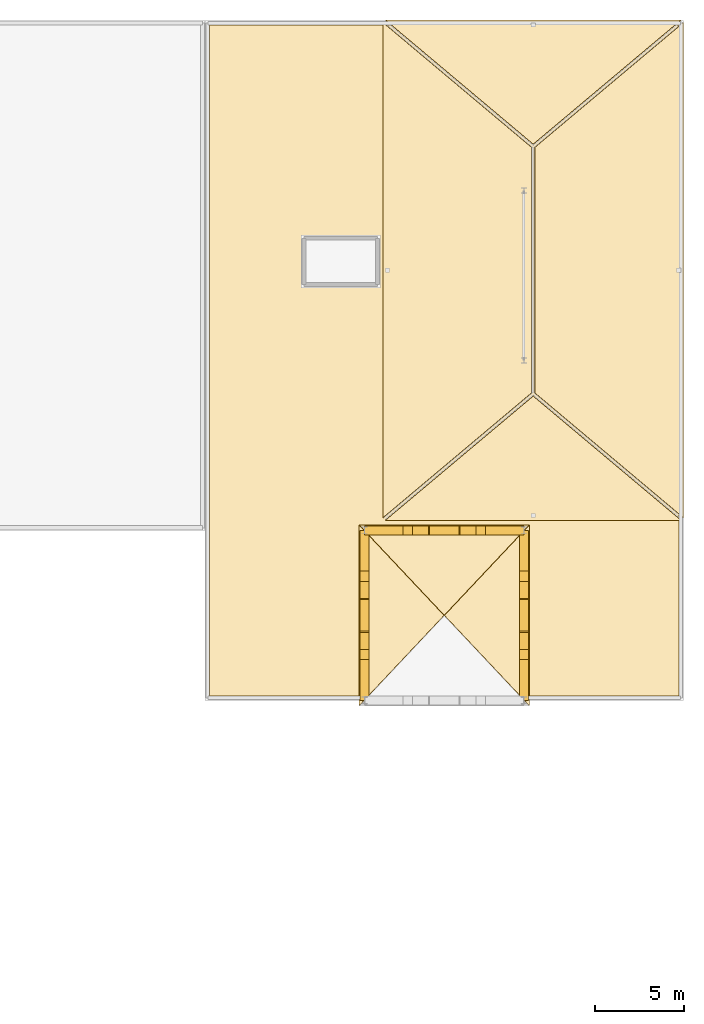
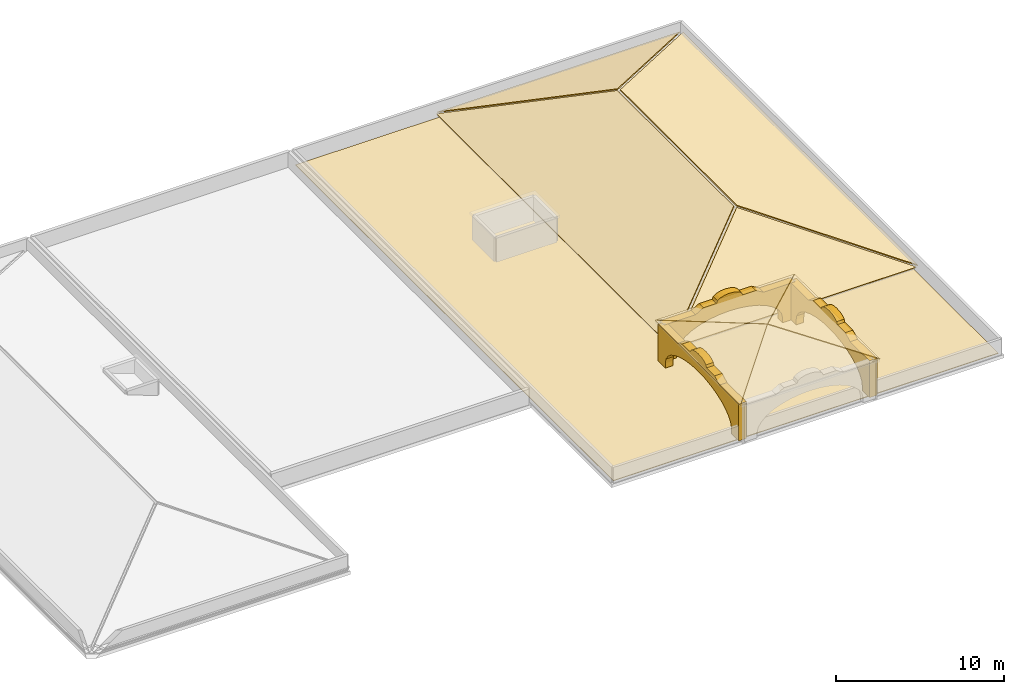
# One storey, part 16 of 16: 11 coverings.
"""IFC4 building model written with IfcOpenShell, lengths in metres."""

from ifc_helpers import new_model, si_unit, direction, frame, origin, place, context, subcontext, project, spatial, polyline, outline, extrude, material, layer, layer_set, type_object, element, save


model = new_model("IFC4")

# Units and contexts
model_context = context("Model", 3, precision=1e-05, world=origin(), true_north=direction((0.0, 1.0)))
body_context = subcontext(model_context, "Body", "Model", "MODEL_VIEW")
ifc_project = project(units=[si_unit("LENGTHUNIT", "METRE"), si_unit("AREAUNIT", "SQUARE_METRE"), si_unit("VOLUMEUNIT", "CUBIC_METRE"), si_unit("PLANEANGLEUNIT", "RADIAN"), si_unit("MASSUNIT", "GRAM", prefix="KILO")], contexts=[model_context])

# Site, building, storey
site_placement = place(None, origin())
site = spatial("IfcSite", under=ifc_project, at=site_placement, CompositionType="ELEMENT")
building_placement = place(site_placement, origin())
building = spatial("IfcBuilding", under=site, at=building_placement, Name="Myrtia Square Station", CompositionType="ELEMENT")
storey_placement = place(building_placement, frame((0.0, 0.0, 22.800048828125)))
storey = spatial("IfcBuildingStorey", under=building, at=storey_placement, Name="RF", CompositionType="ELEMENT", Elevation=22.800048828125)

# Coverings
ifc_material_1 = material(Name="Pentelic marble ashlar", Category="masonry")
ifc_layer_1 = layer(ifc_material_1, 0.4599609375, Name="Pentelic marble ashlar")
ifc_layer_set_1 = layer_set([ifc_layer_1], Name="Pentelic marble ashlar")
covering_type_1 = type_object("IfcCoveringType", Name="COV-ARCH-ASHLAR", PredefinedType="CLADDING", material=ifc_layer_set_1)
covering_1_placement = place(storey_placement, frame((171.0, 96.0, 0.099853515625), z_axis=(0.0, 0.0, 1.0), x_axis=(1.0, 0.0, 0.0)))
element("IfcCovering", 1, at=covering_1_placement, inside=storey, type_object=covering_type_1, Name="Clock tower north belfry arch 049", PredefinedType="CLADDING", context=body_context, shape_type="SweptSolid", body=[
    extrude(outline(polyline([(0.0, 0.0), (0.85009765625, 0.0), (0.85009765625, 0.35009765625), (0.920166015625, 0.701171875), (1.1279296875, 1.038818359375), (1.465087890625, 1.35009765625), (1.9189453125, 1.622802734375), (2.47216796875, 1.8466796875), (3.103271484375, 2.01318359375), (3.787841796875, 2.115478515625), (4.5, 2.150146484375), (5.212158203125, 2.115478515625), (5.896728515625, 2.01318359375), (6.52783203125, 1.8466796875), (7.0810546875, 1.622802734375), (7.534912109375, 1.35009765625), (7.8720703125, 1.038818359375), (8.079833984375, 0.701171875), (8.14990234375, 0.35009765625), (8.14990234375, 0.0), (9.0, 0.0), (9.0, 2.68017578125), (6.840087890625, 2.68017578125), (6.300048828125, 2.9951171875), (5.39990234375, 2.9951171875), (5.33154296875, 3.16162109375), (5.136474609375, 3.302734375), (4.844482421875, 3.39697265625), (4.5, 3.43017578125), (4.155517578125, 3.39697265625), (3.863525390625, 3.302734375), (3.66845703125, 3.16162109375), (3.60009765625, 2.9951171875), (2.699951171875, 2.9951171875), (2.159912109375, 2.68017578125), (0.0, 2.68017578125), (0.0, 0.0)])), frame((0.0, 0.260009765625, 0.0), z_axis=(0.0, -1.0, 0.0), x_axis=(1.0, 0.0, 0.0)), (0.0, 0.0, 1.0), 0.52001953125),
])
for number, where, z_axis, x_axis, name in (
    (2, (171.0, 86.39990234375, 0.099853515625), (0.0, 0.0, 1.0), (0.0, 1.0, 0.0), "Clock tower west belfry arch 050"),
    (3, (180.0, 86.39990234375, 0.099853515625), (0.0, 0.0, 1.0), (0.0, 1.0, 0.0), "Clock tower east belfry arch 051"),
):
    element("IfcCovering", number, at=place(storey_placement, frame(where, z_axis=z_axis, x_axis=x_axis)), inside=storey, type_object=covering_type_1, Name=name, PredefinedType="CLADDING", context=body_context, shape_type="SweptSolid", body=[
        extrude(outline(polyline([(0.0, 0.0), (0.85009765625, 0.0), (0.85009765625, 0.35009765625), (0.92578125, 0.701171875), (1.150634765625, 1.038818359375), (1.515625, 1.35009765625), (2.0068359375, 1.622802734375), (2.60546875, 1.8466796875), (3.288330078125, 2.01318359375), (4.029541015625, 2.115478515625), (4.800048828125, 2.150146484375), (5.570556640625, 2.115478515625), (6.311767578125, 2.01318359375), (6.99462890625, 1.8466796875), (7.59326171875, 1.622802734375), (8.08447265625, 1.35009765625), (8.449462890625, 1.038818359375), (8.67431640625, 0.701171875), (8.75, 0.35009765625), (8.75, 0.0), (9.60009765625, 0.0), (9.60009765625, 2.68017578125), (7.296142578125, 2.68017578125), (6.719970703125, 2.9951171875), (5.760009765625, 2.9951171875), (5.68701171875, 3.16162109375), (5.478759765625, 3.302734375), (5.16748046875, 3.39697265625), (4.800048828125, 3.43017578125), (4.4326171875, 3.39697265625), (4.121337890625, 3.302734375), (3.9130859375, 3.16162109375), (3.840087890625, 2.9951171875), (2.880126953125, 2.9951171875), (2.303955078125, 2.68017578125), (0.0, 2.68017578125), (0.0, 0.0)])), frame((0.0, 0.260009765625, 0.0), z_axis=(0.0, -1.0, 0.0), x_axis=(1.0, 0.0, 0.0)), (0.0, 0.0, 1.0), 0.52001953125),
    ])
ifc_material_2 = material(Name="Waterproof elastomeric membrane")
ifc_layer_2 = layer(ifc_material_2, 0.044921875, Name="Waterproof elastomeric membrane")
ifc_layer_set_2 = layer_set([ifc_layer_2], Name="Waterproof elastomeric membrane")
covering_type_2 = type_object("IfcCoveringType", Name="COV-MEMB-FLAT", PredefinedType="ROOFING", material=ifc_layer_set_2)
covering_2_placement = place(storey_placement, origin())
element("IfcCovering", 4, at=covering_2_placement, inside=storey, type_object=covering_type_2, Name="Flat roof waterproof membrane ROOF-RF-V5E", PredefinedType="ROOFING", context=body_context, shape_type="SweptSolid", body=[
    extrude(outline(polyline([(162.25, 86.64990234375), (188.75, 86.64990234375), (188.75, 124.550048828125), (162.25, 124.550048828125), (162.25, 86.64990234375)])), origin(), (0.0, 0.0, 1.0), 0.044921875),
])
ifc_material_3 = material(Name="Terracotta clay barrel tiles", Category="masonry")
ifc_layer_3 = layer(ifc_material_3, 0.06494140625, Name="Terracotta clay barrel tiles")
ifc_layer_set_3 = layer_set([ifc_layer_3], Name="Terracotta clay barrel tiles")
covering_type_3 = type_object("IfcCoveringType", Name="COV-TILE-TERRACOTTA", PredefinedType="ROOFING", material=ifc_layer_set_3)
for number, where, z_axis, x_axis, name in (
    (5, (172.02783203125, 124.68896484375, 0.2529296875), (-0.339403660267, 0.0, 0.940640821673), (0.0, -1.0, 0.0), "Terracotta clay barrel-tile roofing 111"),
    (6, (189.022216796875, 96.7109375, 0.2529296875), (0.339403660267, 0.0, 0.940640821673), (0.0, 1.0, 0.0), "Terracotta clay barrel-tile roofing 112"),
):
    element("IfcCovering", number, at=place(storey_placement, frame(where, z_axis=z_axis, x_axis=x_axis)), inside=storey, type_object=covering_type_3, Name=name, PredefinedType="ROOFING", context=body_context, shape_type="SweptSolid", body=[
        extrude(outline(polyline([(0.0, 0.0), (27.97802734375, 0.0), (20.930419921875, 8.919596646708923), (7.047607421875, 8.919596646708923), (0.0, 0.0)])), origin(), (0.0, 0.0, -1.0), 0.06494140625),
    ])
covering_3_placement = place(storey_placement, frame((172.18212890625, 96.57421875, 0.251708984375), z_axis=(0.0, -0.394672484426, 0.918821870678), x_axis=(1.0, 0.0, 0.0)))
element("IfcCovering", 7, at=covering_3_placement, inside=storey, type_object=covering_type_3, Name="Terracotta clay barrel-tile roofing 113", PredefinedType="ROOFING", context=body_context, shape_type="SweptSolid", body=[
    extrude(outline(polyline([(0.0, 0.0), (16.685791015625, 0.0), (8.3427734375, 7.627220100292211), (0.0, 0.0)])), origin(), (0.0, 0.0, -1.0), 0.06494140625),
])
covering_4_placement = place(storey_placement, frame((188.867919921875, 124.82568359375, 0.251708984375), z_axis=(0.0, 0.394672484426, 0.918821870678), x_axis=(-1.0, 0.0, 0.0)))
element("IfcCovering", 8, at=covering_4_placement, inside=storey, type_object=covering_type_3, Name="Terracotta clay barrel-tile roofing 114", PredefinedType="ROOFING", context=body_context, shape_type="SweptSolid", body=[
    extrude(outline(polyline([(0.0, 0.0), (16.685791015625, 0.0), (8.343017578125, 7.627220100292211), (0.0, 0.0)])), origin(), (0.0, 0.0, -1.0), 0.06494140625),
])
covering_5_placement = place(storey_placement, frame((180.31494140625, 86.10009765625, 2.913330078125), z_axis=(0.229127637355, 0.0, 0.973396386782), x_axis=(0.0, 1.0, 0.0)))
element("IfcCovering", 9, at=covering_5_placement, inside=storey, type_object=covering_type_3, Name="Terracotta clay barrel-tile roofing 116", PredefinedType="ROOFING", context=body_context, shape_type="SweptSolid", body=[
    extrude(outline(polyline([(0.0, 0.0), (10.199951171875, 0.0), (5.099853515625, 4.931237564989856), (0.0, 0.0)])), origin(), (0.0, 0.0, -1.0), 0.06494140625),
])
covering_6_placement = place(storey_placement, frame((180.300048828125, 96.314208984375, 2.913330078125), z_axis=(0.0, 0.216341543118, 0.97631774373), x_axis=(-1.0, 0.0, 0.0)))
element("IfcCovering", 10, at=covering_6_placement, inside=storey, type_object=covering_type_3, Name="Terracotta clay barrel-tile roofing 117", PredefinedType="ROOFING", context=body_context, shape_type="SweptSolid", body=[
    extrude(outline(polyline([(0.0, 0.0), (9.60009765625, 0.0), (4.800048828125, 5.2238092455090985), (0.0, 0.0)])), origin(), (0.0, 0.0, -1.0), 0.06494140625),
])
covering_7_placement = place(storey_placement, frame((170.68505859375, 96.300048828125, 2.913330078125), z_axis=(-0.229127637355, 0.0, 0.973396386782), x_axis=(0.0, -1.0, 0.0)))
element("IfcCovering", 11, at=covering_7_placement, inside=storey, type_object=covering_type_3, Name="Terracotta clay barrel-tile roofing 118", PredefinedType="ROOFING", context=body_context, shape_type="SweptSolid", body=[
    extrude(outline(polyline([(0.0, 0.0), (10.199951171875, 0.0), (5.10009765625, 4.931237564989856), (0.0, 0.0)])), origin(), (0.0, 0.0, -1.0), 0.06494140625),
])

save(model, "model.ifc")
